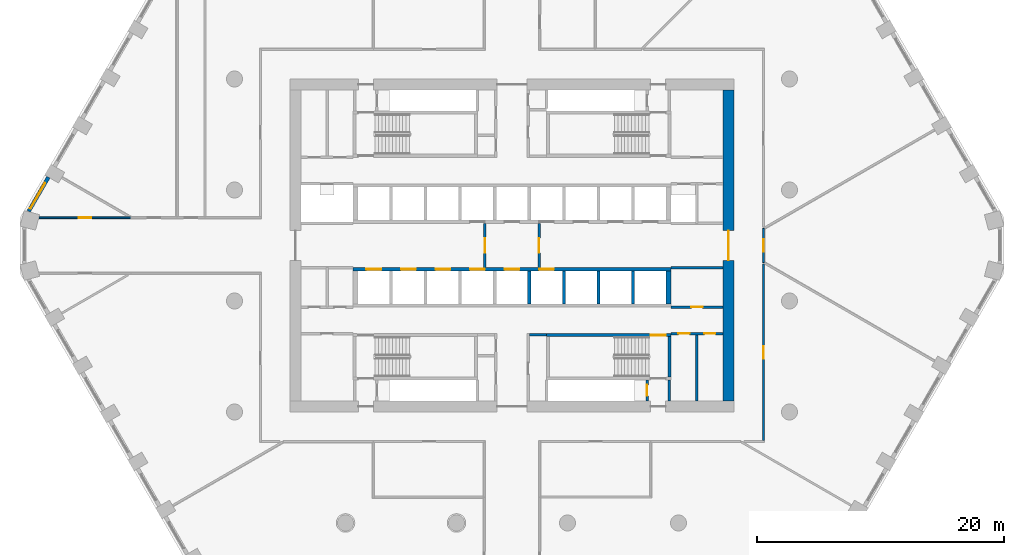
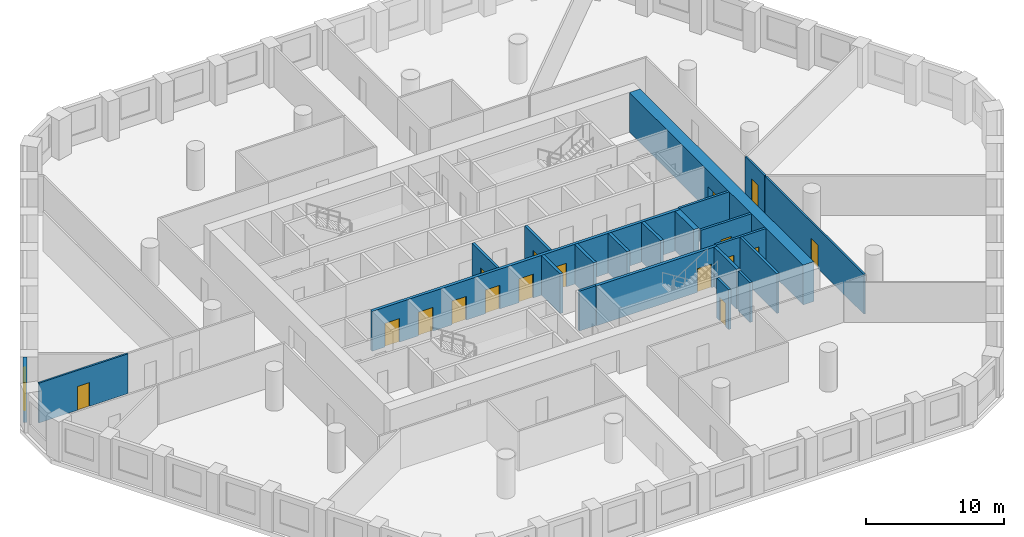
# One storey, part 4 of 14: 22 walls, 17 doors, 1 window, 18 openings.
"""IFC4 building model written with IfcOpenShell, lengths in metres."""

import ifcopenshell
import ifcopenshell.guid

model = None  # the IFC model being written
_history = None  # IfcOwnerHistory: only IFC2X3 demands one
_inside = {}  # id of a spatial element -> (the spatial element, [elements in it])
_under = {}  # id of a project, library or spatial element -> (it, [spatial elements below it])
_declared = {}  # id of a project -> (the project, [libraries it declares])
_typed = {}  # id of a type object -> (the type object, [elements of that type])
_made_of = {}  # id of a material, layer set ... -> (it, [elements and type objects made of it])


def new_model(schema):
    """Start an empty IFC model of exactly this schema.

    Asked for "IFC4X3", IfcOpenShell would pick the latest addendum, in which some entities
    have other attributes; the version numbers below select the first issue.
    IFC2X3 requires an IfcOwnerHistory on every rooted entity: one is made here for all.
    """
    global model, _history
    if schema == "IFC4X3":
        model = ifcopenshell.file(schema_version=(4, 3, 0, 0))
    else:
        model = ifcopenshell.file(schema=schema)
    _inside.clear()
    _under.clear()
    _declared.clear()
    _typed.clear()
    _made_of.clear()
    _history = None
    if model.schema == "IFC2X3":
        org = make("IfcOrganization", Name="unknown")
        user = make(
            "IfcPersonAndOrganization",
            ThePerson=make("IfcPerson", FamilyName="unknown"),
            TheOrganization=org,
        )
        app = make(
            "IfcApplication",
            ApplicationDeveloper=org,
            Version="unknown",
            ApplicationFullName="unknown",
            ApplicationIdentifier="unknown",
        )
        _history = make(
            "IfcOwnerHistory",
            OwningUser=user,
            OwningApplication=app,
            ChangeAction="ADDED",
            CreationDate=0,
        )
    return model


def make(cls, **values):
    """One entity of the class cls with the attributes given. An attribute that is None is left unset."""
    return model.create_entity(
        cls, **{name: value for name, value in values.items() if value is not None}
    )


def rooted(cls, **values):
    """An entity with a GlobalId (a new one), such as an element, a storey or a relation."""
    return make(cls, GlobalId=ifcopenshell.guid.new(), OwnerHistory=_history, **values)


def si_unit(unit_type, name, prefix=None):
    """IfcSIUnit, for example si_unit("LENGTHUNIT", "METRE", prefix="MILLI")."""
    return make("IfcSIUnit", UnitType=unit_type, Prefix=prefix, Name=name)


def assignment(units):
    """IfcUnitAssignment: the units of a project."""
    return None if units is None else make("IfcUnitAssignment", Units=units)


def point(xyz):
    """IfcCartesianPoint."""
    return None if xyz is None else make("IfcCartesianPoint", Coordinates=xyz)


def direction(xyz):
    """IfcDirection."""
    return None if xyz is None else make("IfcDirection", DirectionRatios=xyz)


def frame(location, z_axis=None, x_axis=None):
    """IfcAxis2Placement3D, a coordinate frame: its origin and axes. An axis left out is left unset."""
    return make(
        "IfcAxis2Placement3D",
        Location=point(location),
        Axis=direction(z_axis),
        RefDirection=direction(x_axis),
    )


def frame_2d(location, x_axis=None):
    """IfcAxis2Placement2D, a coordinate frame in the plane: its origin and x axis."""
    return make(
        "IfcAxis2Placement2D", Location=point(location), RefDirection=direction(x_axis)
    )


def origin():
    """The frame at (0, 0, 0) with its axes left unset."""
    return frame((0.0, 0.0, 0.0))


def place(relative_to, where):
    """IfcLocalPlacement: puts the frame where relative to a parent placement (None: the world)."""
    return make(
        "IfcLocalPlacement", PlacementRelTo=relative_to, RelativePlacement=where
    )


def context(
    kind, dimensions, precision=None, world=None, true_north=None, identifier=None
):
    """IfcGeometricRepresentationContext, for example the 3D "Model" context."""
    return make(
        "IfcGeometricRepresentationContext",
        ContextIdentifier=identifier,
        ContextType=kind,
        CoordinateSpaceDimension=dimensions,
        Precision=precision,
        WorldCoordinateSystem=world,
        TrueNorth=true_north,
    )


def subcontext(parent, identifier, kind, view, scale=None):
    """IfcGeometricRepresentationSubContext, for example "Body" below "Model"."""
    return make(
        "IfcGeometricRepresentationSubContext",
        ContextIdentifier=identifier,
        ContextType=kind,
        ParentContext=parent,
        TargetScale=scale,
        TargetView=view,
    )


def project(units=None, contexts=None):
    """IfcProject with its units and contexts."""
    return rooted(
        "IfcProject",
        Name="project",
        RepresentationContexts=contexts,
        UnitsInContext=assignment(units),
    )


def spatial(cls, under=None, at=None, **own):
    """A site, building, storey or space (cls), placed at a placement, below another one or the project."""
    s = rooted(cls, ObjectPlacement=at, **own)
    if under is not None:
        _under.setdefault(under.id(), (under, []))[1].append(s)
    return s


def polyline(points):
    """IfcPolyline through the points."""
    return make("IfcPolyline", Points=[point(p) for p in points])


def profile(cls, at=None, kind="AREA", **sizes):
    """A parametric profile (cls). Its sizes go by their IFC names, for example OverallWidth=200.0."""
    return make(cls, ProfileType=kind, Position=at, **sizes)


def rectangle(**sizes):
    """IfcRectangleProfileDef."""
    return profile("IfcRectangleProfileDef", **sizes)


def outline(outer, holes=None, kind="AREA"):
    """IfcArbitraryClosedProfileDef: a profile drawn as a closed curve; with holes, ...WithVoids."""
    if holes is None:
        return make("IfcArbitraryClosedProfileDef", ProfileType=kind, OuterCurve=outer)
    return make(
        "IfcArbitraryProfileDefWithVoids",
        ProfileType=kind,
        OuterCurve=outer,
        InnerCurves=holes,
    )


def extrude(swept, where, along, depth):
    """IfcExtrudedAreaSolid: the profile swept, set in the frame where, extruded along a direction by depth."""
    return make(
        "IfcExtrudedAreaSolid",
        SweptArea=swept,
        Position=where,
        ExtrudedDirection=direction(along),
        Depth=depth,
    )


def shape(context_of_items, identifier, shape_type, items):
    """IfcShapeRepresentation: the items that make up one representation, for example the "Body"."""
    return make(
        "IfcShapeRepresentation",
        ContextOfItems=context_of_items,
        RepresentationIdentifier=identifier,
        RepresentationType=shape_type,
        Items=items,
    )


def material(Name=None, Category=None):
    """IfcMaterial."""
    return make("IfcMaterial", Name=Name, Category=Category)


def layer(
    of_material, thickness, ventilated=None, Name=None, Category=None, Priority=None
):
    """IfcMaterialLayer: one layer of a wall or slab, of a material (None: an air gap)."""
    return make(
        "IfcMaterialLayer",
        Material=of_material,
        LayerThickness=thickness,
        IsVentilated=ventilated,
        Name=Name,
        Category=Category,
        Priority=Priority,
    )


def layer_set(layers, Name=None):
    """IfcMaterialLayerSet."""
    return make("IfcMaterialLayerSet", MaterialLayers=layers, LayerSetName=Name)


def made_of(thing, what):
    """Note that an element or type object is made of a material, layer set ...; save() writes the relation."""
    if what is not None:
        _made_of.setdefault(what.id(), (what, []))[1].append(thing)
    return thing


def type_object(cls, material=None, **own):
    """A type object (cls), such as IfcWallType, which elements share."""
    return made_of(rooted(cls, **own), material)


def element(
    cls,
    number,
    at=None,
    inside=None,
    cuts=None,
    type_object=None,
    material=None,
    context=None,
    identifier="Body",
    shape_type=None,
    held_by="IfcProductDefinitionShape",
    body=None,
    shapes=None,
    **own,
):
    """One element of the class cls, such as IfcWall. Its Tag is "e" and its number.

    at: its placement. inside: the storey or other place that contains it. cuts: it is an
    opening in that element (IfcRelVoidsElement). A single representation is given by context,
    identifier, shape_type and body (its items); several are given by shapes. held_by: the class
    of the entity that holds the representations. save() writes the other relations.
    """
    e = rooted(cls, Tag="e%d" % number, ObjectPlacement=at, **own)
    if body is not None:
        shapes = [shape(context, identifier, shape_type, body)]
    if shapes is not None:
        e.Representation = make(held_by, Representations=shapes)
    if inside is not None:
        _inside.setdefault(inside.id(), (inside, []))[1].append(e)
    if cuts is not None:
        rooted(
            "IfcRelVoidsElement", RelatingBuildingElement=cuts, RelatedOpeningElement=e
        )
    if type_object is not None:
        _typed.setdefault(type_object.id(), (type_object, []))[1].append(e)
    return made_of(e, material)


def fill(opening, filler):
    """IfcRelFillsElement: the door or window that sits in an opening."""
    return rooted(
        "IfcRelFillsElement",
        RelatingOpeningElement=opening,
        RelatedBuildingElement=filler,
    )


def aggregate(whole, parts):
    """IfcRelAggregates: a whole, such as a stair, and the parts it consists of."""
    return rooted("IfcRelAggregates", RelatingObject=whole, RelatedObjects=parts)


def save(model, path):
    """Write the relations noted so far, then the file.

    IfcRelAggregates (storeys below a building ...), IfcRelContainedInSpatialStructure (elements
    in a storey), IfcRelDefinesByType, IfcRelAssociatesMaterial and IfcRelDeclares: one each for
    every whole, place, type object, material and project.
    """
    for whole, parts in _under.values():
        aggregate(whole, parts)
    for where, things in _inside.values():
        rooted(
            "IfcRelContainedInSpatialStructure",
            RelatedElements=things,
            RelatingStructure=where,
        )
    for kind, things in _typed.values():
        rooted("IfcRelDefinesByType", RelatedObjects=things, RelatingType=kind)
    for what, things in _made_of.values():
        rooted("IfcRelAssociatesMaterial", RelatedObjects=things, RelatingMaterial=what)
    for by, libraries in _declared.values():
        rooted("IfcRelDeclares", RelatingContext=by, RelatedDefinitions=libraries)
    model.write(path)


model = new_model("IFC4")

# Units and contexts
model_context = context("Model", 3, precision=1e-05, world=origin(), true_north=direction((0.0, 1.0)))
body_context = subcontext(model_context, "Body", "Model", "MODEL_VIEW")
ifc_project = project(units=[si_unit("LENGTHUNIT", "METRE"), si_unit("AREAUNIT", "SQUARE_METRE"), si_unit("VOLUMEUNIT", "CUBIC_METRE"), si_unit("PLANEANGLEUNIT", "RADIAN"), si_unit("MASSUNIT", "GRAM", prefix="KILO")], contexts=[model_context])

# Site, building, storey
site_placement = place(None, origin())
site = spatial("IfcSite", under=ifc_project, at=site_placement, CompositionType="ELEMENT")
building_placement = place(site_placement, origin())
building = spatial("IfcBuilding", under=site, at=building_placement, Name="Dhurran Vertical Campus", CompositionType="ELEMENT")
storey_placement = place(building_placement, frame((0.0, 0.0, 100.800048828125)))
storey = spatial("IfcBuildingStorey", under=building, at=storey_placement, Name="L24", CompositionType="ELEMENT", Elevation=100.800048828125)

# Wall, opening, window
ifc_material_1 = material(Name="Precast concrete C50/60", Category="concrete")
ifc_layer_1 = layer(ifc_material_1, 0.300048828125)
ifc_layer_set_1 = layer_set([ifc_layer_1], Name="Precast concrete C50/60")
wall_type_1 = type_object("IfcWallType", Name="Precast spandrel wall 300", PredefinedType="SOLIDWALL", material=ifc_layer_set_1)
wall_1_placement = place(storey_placement, frame((-37.59423828125, 5.538818359375, 0.0), z_axis=(0.0, 0.0, 1.0), x_axis=(-0.500004907028, -0.866022570692, 0.0)))
wall_1 = element("IfcWall", 1, at=wall_1_placement, inside=storey, type_object=wall_type_1, Name="EW1 L24.42", PredefinedType="SOLIDWALL", context=body_context, shape_type="SweptSolid", body=[
    extrude(rectangle(XDim=3.1923828125, YDim=0.300048828125, at=frame_2d((1.59619140625, 0.0))), origin(), (0.0, 0.0, 1.0), 3.52490234375),
])
opening_1_placement = place(wall_1_placement, frame((0.549560546875, 0.0, 0.89990234375)))
opening_1 = element("IfcOpeningElement", 2, at=opening_1_placement, cuts=wall_1, Name="Opening WT1", PredefinedType="OPENING", context=body_context, shape_type="SweptSolid", body=[
    extrude(rectangle(XDim=2.39990234375, YDim=2.10009765625, at=frame_2d((1.199951171875, 1.050048828125))), frame((0.0, 0.159912109375, 0.0), z_axis=(0.0, -1.0, 0.0), x_axis=(1.0, 0.0, 0.0)), (0.0, 0.0, 1.0), 0.320068359375),
])
ifc_material_2 = material(Name="Aluminium frame with solar-control glass", Category="aluminium")
window_type = type_object("IfcWindowType", Name="Punched window 2400 x 2100", PartitioningType="SINGLE_PANEL", PredefinedType="WINDOW", material=ifc_material_2)
window_placement = place(opening_1_placement, origin())
window = element("IfcWindow", 3, at=window_placement, inside=storey, type_object=window_type, Name="WT1 L24.42", OverallHeight=2.10009765625, OverallWidth=2.39990234375, PartitioningType="SINGLE_PANEL", PredefinedType="WINDOW", context=body_context, shape_type="SweptSolid", body=[
    extrude(rectangle(XDim=2.39990234375, YDim=2.10009765625, at=frame_2d((1.199951171875, 1.050048828125))), frame((0.0, 0.030029296875, 0.0), z_axis=(0.0, -1.0, 0.0), x_axis=(1.0, 0.0, 0.0)), (0.0, 0.0, 1.0), 0.06005859375),
])
fill(opening_1, window)

# Wall, opening, door
ifc_material_3 = material(Name="Concrete C60/75", Category="concrete")
ifc_layer_2 = layer(ifc_material_3, 0.89990234375)
ifc_layer_set_2 = layer_set([ifc_layer_2], Name="Concrete C60/75")
wall_type_2 = type_object("IfcWallType", Name="co-CORE-WALL-C0-900", PredefinedType="SHEAR", material=ifc_layer_set_2)
wall_2_placement = place(storey_placement, frame((17.550048828125, -12.60009765625, 0.0), z_axis=(0.0, 0.0, 1.0), x_axis=(0.0, 1.0, 0.0)))
wall_2 = element("IfcWall", 4, at=wall_2_placement, inside=storey, type_object=wall_type_2, Name="Core wall E L24", PredefinedType="SHEAR", context=body_context, shape_type="SweptSolid", body=[
    extrude(rectangle(XDim=25.2001953125, YDim=0.89990234375, at=frame_2d((12.60009765625, 0.0))), origin(), (0.0, 0.0, 1.0), 3.52490234375),
])
opening_2_placement = place(wall_2_placement, frame((11.39990234375, 0.0, 0.0)))
opening_2 = element("IfcOpeningElement", 5, at=opening_2_placement, cuts=wall_2, Name="Opening CL2", PredefinedType="OPENING", context=body_context, shape_type="SweptSolid", body=[
    extrude(rectangle(XDim=2.39990234375, YDim=2.10009765625, at=frame_2d((1.199951171875, 1.050048828125))), frame((0.0, 0.4599609375, 0.0), z_axis=(0.0, -1.0, 0.0), x_axis=(1.0, 0.0, 0.0)), (0.0, 0.0, 1.0), 0.919921875),
])
ifc_material_4 = material(Name="Fire-rated glazed door set")
door_type_1 = type_object("IfcDoorType", Name="co-D-LOBBY 2400x2100", OperationType="DOUBLE_DOOR_DOUBLE_SWING", PredefinedType="DOOR", material=ifc_material_4)
door_1_placement = place(opening_2_placement, origin())
door_1 = element("IfcDoor", 6, at=door_1_placement, inside=storey, type_object=door_type_1, Name="Lift lobby door E L24", OperationType="DOUBLE_DOOR_DOUBLE_SWING", OverallHeight=2.10009765625, OverallWidth=2.39990234375, PredefinedType="DOOR", context=body_context, shape_type="SweptSolid", body=[
    extrude(rectangle(XDim=2.39990234375, YDim=2.10009765625, at=frame_2d((1.199951171875, 1.050048828125))), frame((0.0, 0.02490234375, 0.0), z_axis=(0.0, -1.0, 0.0), x_axis=(1.0, 0.0, 0.0)), (0.0, 0.0, 1.0), 0.050048828125),
])
fill(opening_2, door_1)

ifc_material_5 = material(Name="Fire-rated masonry blockwork", Category="masonry")
ifc_layer_3 = layer(ifc_material_5, 0.199951171875)
ifc_layer_set_3 = layer_set([ifc_layer_3], Name="Fire-rated masonry blockwork")
wall_type_3 = type_object("IfcWallType", Name="co-FIRE-PARTITION-200", PredefinedType="PARTITIONING", material=ifc_layer_set_3)
wall_3_placement = place(storey_placement, frame((-2.199951171875, -1.800048828125, 0.0), z_axis=(0.0, 0.0, 1.0), x_axis=(0.0, 1.0, 0.0)))
wall_3 = element("IfcWall", 7, at=wall_3_placement, inside=storey, type_object=wall_type_3, Name="Firefighting lobby wall W L24", PredefinedType="PARTITIONING", context=body_context, shape_type="SweptSolid", body=[
    extrude(rectangle(XDim=3.60009765625, YDim=0.199951171875, at=frame_2d((1.800048828125, 0.0))), origin(), (0.0, 0.0, 1.0), 3.52490234375),
])
opening_3_placement = place(wall_3_placement, frame((1.199951171875, 0.0, 0.0)))
opening_3 = element("IfcOpeningElement", 8, at=opening_3_placement, cuts=wall_3, Name="Opening FL1", PredefinedType="OPENING", context=body_context, shape_type="SweptSolid", body=[
    extrude(rectangle(XDim=1.199951171875, YDim=2.10009765625, at=frame_2d((0.60009765625, 1.050048828125))), frame((0.0, 0.10986328125, 0.0), z_axis=(0.0, -1.0, 0.0), x_axis=(1.0, 0.0, 0.0)), (0.0, 0.0, 1.0), 0.219970703125),
])
ifc_material_6 = material(Name="Fire-rated steel door set", Category="steel")
door_type_2 = type_object("IfcDoorType", Name="co-D-FFLOBBY 1200x2100", OperationType="SINGLE_SWING_LEFT", PredefinedType="DOOR", material=ifc_material_6)
door_2_placement = place(opening_3_placement, origin())
door_2 = element("IfcDoor", 9, at=door_2_placement, inside=storey, type_object=door_type_2, Name="Firefighting lobby door W L24", OperationType="SINGLE_SWING_LEFT", OverallHeight=2.10009765625, OverallWidth=1.199951171875, PredefinedType="DOOR", context=body_context, shape_type="SweptSolid", body=[
    extrude(rectangle(XDim=1.199951171875, YDim=2.10009765625, at=frame_2d((0.60009765625, 1.050048828125))), frame((0.0, 0.02490234375, 0.0), z_axis=(0.0, -1.0, 0.0), x_axis=(1.0, 0.0, 0.0)), (0.0, 0.0, 1.0), 0.050048828125),
])
fill(opening_3, door_2)

wall_4_placement = place(storey_placement, frame((2.199951171875, -1.800048828125, 0.0), z_axis=(0.0, 0.0, 1.0), x_axis=(0.0, 1.0, 0.0)))
wall_4 = element("IfcWall", 10, at=wall_4_placement, inside=storey, type_object=wall_type_3, Name="Firefighting lobby wall E L24", PredefinedType="PARTITIONING", context=body_context, shape_type="SweptSolid", body=[
    extrude(rectangle(XDim=3.60009765625, YDim=0.199951171875, at=frame_2d((1.800048828125, 0.0))), origin(), (0.0, 0.0, 1.0), 3.52490234375),
])
opening_4_placement = place(wall_4_placement, frame((1.199951171875, 0.0, 0.0)))
opening_4 = element("IfcOpeningElement", 11, at=opening_4_placement, cuts=wall_4, Name="Opening FL2", PredefinedType="OPENING", context=body_context, shape_type="SweptSolid", body=[
    extrude(rectangle(XDim=1.199951171875, YDim=2.10009765625, at=frame_2d((0.60009765625, 1.050048828125))), frame((0.0, 0.10986328125, 0.0), z_axis=(0.0, -1.0, 0.0), x_axis=(1.0, 0.0, 0.0)), (0.0, 0.0, 1.0), 0.219970703125),
])
door_3_placement = place(opening_4_placement, origin())
door_3 = element("IfcDoor", 12, at=door_3_placement, inside=storey, type_object=door_type_2, Name="Firefighting lobby door E L24", OperationType="SINGLE_SWING_LEFT", OverallHeight=2.10009765625, OverallWidth=1.199951171875, PredefinedType="DOOR", context=body_context, shape_type="SweptSolid", body=[
    extrude(rectangle(XDim=1.199951171875, YDim=2.10009765625, at=frame_2d((0.60009765625, 1.050048828125))), frame((0.0, 0.02490234375, 0.0), z_axis=(0.0, -1.0, 0.0), x_axis=(1.0, 0.0, 0.0)), (0.0, 0.0, 1.0), 0.050048828125),
])
fill(opening_4, door_3)

# Walls
wall_5_placement = place(storey_placement, frame((1.39990234375, -7.25, 0.0), z_axis=(0.0, 0.0, 1.0), x_axis=(1.0, 0.0, 0.0)))
element("IfcWall", 13, at=wall_5_placement, inside=storey, type_object=wall_type_3, Name="Core partition sl-SE-S L24", PredefinedType="PARTITIONING", context=body_context, shape_type="SweptSolid", body=[
    extrude(rectangle(XDim=1.400146484375, YDim=0.199951171875, at=frame_2d((0.7001953125, 0.0))), origin(), (0.0, 0.0, 1.0), 3.52490234375),
])
wall_6_placement = place(storey_placement, frame((12.75, -12.60009765625, 0.0), z_axis=(0.0, 0.0, 1.0), x_axis=(0.0, 1.0, 0.0)))
element("IfcWall", 14, at=wall_6_placement, inside=storey, type_object=wall_type_3, Name="Core partition pass-ST4-o L24", PredefinedType="PARTITIONING", context=body_context, shape_type="SweptSolid", body=[
    extrude(rectangle(XDim=1.7001953125, YDim=0.199951171875, at=frame_2d((0.85009765625, 0.0))), origin(), (0.0, 0.0, 1.0), 3.52490234375),
])

# Wall, opening, door
wall_7_placement = place(storey_placement, frame((10.949951171875, -12.60009765625, 0.0), z_axis=(0.0, 0.0, 1.0), x_axis=(0.0, 1.0, 0.0)))
wall_7 = element("IfcWall", 15, at=wall_7_placement, inside=storey, type_object=wall_type_3, Name="Core partition pass-ST4-i L24", PredefinedType="PARTITIONING", context=body_context, shape_type="SweptSolid", body=[
    extrude(rectangle(XDim=1.7001953125, YDim=0.199951171875, at=frame_2d((0.85009765625, 0.0))), origin(), (0.0, 0.0, 1.0), 3.52490234375),
])
opening_5_placement = place(wall_7_placement, frame((0.39990234375, 0.0, 0.0)))
opening_5 = element("IfcOpeningElement", 16, at=opening_5_placement, cuts=wall_7, Name="Opening T06-C11", PredefinedType="OPENING", context=body_context, shape_type="SweptSolid", body=[
    extrude(rectangle(XDim=0.89990234375, YDim=2.10009765625, at=frame_2d((0.449951171875, 1.050048828125))), frame((0.0, 0.10986328125, 0.0), z_axis=(0.0, -1.0, 0.0), x_axis=(1.0, 0.0, 0.0)), (0.0, 0.0, 1.0), 0.219970703125),
])
ifc_material_7 = material(Name="Fire-rated timber door set", Category="wood")
door_type_3 = type_object("IfcDoorType", Name="co-D-ROOM 900x2100", OperationType="SINGLE_SWING_LEFT", PredefinedType="DOOR", material=ifc_material_7)
door_4_placement = place(opening_5_placement, origin())
door_4 = element("IfcDoor", 17, at=door_4_placement, inside=storey, type_object=door_type_3, Name="Riser room door L24", OperationType="SINGLE_SWING_LEFT", OverallHeight=2.10009765625, OverallWidth=0.89990234375, PredefinedType="DOOR", context=body_context, shape_type="SweptSolid", body=[
    extrude(rectangle(XDim=0.89990234375, YDim=2.10009765625, at=frame_2d((0.449951171875, 1.050048828125))), frame((0.0, 0.02490234375, 0.0), z_axis=(0.0, -1.0, 0.0), x_axis=(1.0, 0.0, 0.0)), (0.0, 0.0, 1.0), 0.050048828125),
])
fill(opening_5, door_4)

# Wall
wall_8_placement = place(storey_placement, frame((15.0, -12.60009765625, 0.0), z_axis=(0.0, 0.0, 1.0), x_axis=(0.0, 1.0, 0.0)))
element("IfcWall", 18, at=wall_8_placement, inside=storey, type_object=wall_type_3, Name="Core partition en-SE-cut0 L24", PredefinedType="PARTITIONING", context=body_context, shape_type="SweptSolid", body=[
    extrude(rectangle(XDim=5.4501953125, YDim=0.199951171875, at=frame_2d((2.72509765625, 0.0))), origin(), (0.0, 0.0, 1.0), 3.52490234375),
])

# Wall, openings, doors
wall_9_placement = place(storey_placement, frame((12.89990234375, -7.14990234375, 0.0), z_axis=(0.0, 0.0, 1.0), x_axis=(1.0, 0.0, 0.0)))
wall_9 = element("IfcWall", 19, at=wall_9_placement, inside=storey, type_object=wall_type_3, Name="Core partition en-SE-w L24", PredefinedType="PARTITIONING", context=body_context, shape_type="SweptSolid", body=[
    extrude(rectangle(XDim=4.2001953125, YDim=0.199951171875, at=frame_2d((2.10009765625, 0.0))), origin(), (0.0, 0.0, 1.0), 3.52490234375),
])
opening_6_placement = place(wall_9_placement, frame((0.60009765625, 0.0, 0.0)))
opening_6 = element("IfcOpeningElement", 20, at=opening_6_placement, cuts=wall_9, Name="Opening T06-C21", PredefinedType="OPENING", context=body_context, shape_type="SweptSolid", body=[
    extrude(rectangle(XDim=0.89990234375, YDim=2.10009765625, at=frame_2d((0.449951171875, 1.050048828125))), frame((0.0, 0.10986328125, 0.0), z_axis=(0.0, -1.0, 0.0), x_axis=(1.0, 0.0, 0.0)), (0.0, 0.0, 1.0), 0.219970703125),
])
opening_7_placement = place(wall_9_placement, frame((2.699951171875, 0.0, 0.0)))
opening_7 = element("IfcOpeningElement", 21, at=opening_7_placement, cuts=wall_9, Name="Opening T06-C22", PredefinedType="OPENING", context=body_context, shape_type="SweptSolid", body=[
    extrude(rectangle(XDim=0.89990234375, YDim=2.10009765625, at=frame_2d((0.449951171875, 1.050048828125))), frame((0.0, 0.10986328125, 0.0), z_axis=(0.0, -1.0, 0.0), x_axis=(1.0, 0.0, 0.0)), (0.0, 0.0, 1.0), 0.219970703125),
])
door_5_placement = place(opening_6_placement, origin())
door_5 = element("IfcDoor", 22, at=door_5_placement, inside=storey, type_object=door_type_3, Name="Cleaner's store door L24", OperationType="SINGLE_SWING_LEFT", OverallHeight=2.10009765625, OverallWidth=0.89990234375, PredefinedType="DOOR", context=body_context, shape_type="SweptSolid", body=[
    extrude(rectangle(XDim=0.89990234375, YDim=2.10009765625, at=frame_2d((0.449951171875, 1.050048828125))), frame((0.0, 0.02490234375, 0.0), z_axis=(0.0, -1.0, 0.0), x_axis=(1.0, 0.0, 0.0)), (0.0, 0.0, 1.0), 0.050048828125),
])
fill(opening_6, door_5)
door_6_placement = place(opening_7_placement, origin())
door_6 = element("IfcDoor", 23, at=door_6_placement, inside=storey, type_object=door_type_3, Name="Cleaner's store door L24", OperationType="SINGLE_SWING_LEFT", OverallHeight=2.10009765625, OverallWidth=0.89990234375, PredefinedType="DOOR", context=body_context, shape_type="SweptSolid", body=[
    extrude(rectangle(XDim=0.89990234375, YDim=2.10009765625, at=frame_2d((0.449951171875, 1.050048828125))), frame((0.0, 0.02490234375, 0.0), z_axis=(0.0, -1.0, 0.0), x_axis=(1.0, 0.0, 0.0)), (0.0, 0.0, 1.0), 0.050048828125),
])
fill(opening_7, door_6)

# Wall, opening, door
wall_10_placement = place(storey_placement, frame((12.89990234375, -5.0, 0.0), z_axis=(0.0, 0.0, 1.0), x_axis=(1.0, 0.0, 0.0)))
wall_10 = element("IfcWall", 24, at=wall_10_placement, inside=storey, type_object=wall_type_3, Name="Core partition es-SE-w L24", PredefinedType="PARTITIONING", context=body_context, shape_type="SweptSolid", body=[
    extrude(rectangle(XDim=4.2001953125, YDim=0.199951171875, at=frame_2d((2.10009765625, 0.0))), origin(), (0.0, 0.0, 1.0), 3.52490234375),
])
opening_8_placement = place(wall_10_placement, frame((1.64990234375, 0.0, 0.0)))
opening_8 = element("IfcOpeningElement", 25, at=opening_8_placement, cuts=wall_10, Name="Opening T06-C23", PredefinedType="OPENING", context=body_context, shape_type="SweptSolid", body=[
    extrude(rectangle(XDim=0.89990234375, YDim=2.10009765625, at=frame_2d((0.449951171875, 1.050048828125))), frame((0.0, 0.10986328125, 0.0), z_axis=(0.0, -1.0, 0.0), x_axis=(1.0, 0.0, 0.0)), (0.0, 0.0, 1.0), 0.219970703125),
])
door_7_placement = place(opening_8_placement, origin())
door_7 = element("IfcDoor", 26, at=door_7_placement, inside=storey, type_object=door_type_3, Name="Plant room door L24", OperationType="SINGLE_SWING_LEFT", OverallHeight=2.10009765625, OverallWidth=0.89990234375, PredefinedType="DOOR", context=body_context, shape_type="SweptSolid", body=[
    extrude(rectangle(XDim=0.89990234375, YDim=2.10009765625, at=frame_2d((0.449951171875, 1.050048828125))), frame((0.0, 0.02490234375, 0.0), z_axis=(0.0, -1.0, 0.0), x_axis=(1.0, 0.0, 0.0)), (0.0, 0.0, 1.0), 0.050048828125),
])
fill(opening_8, door_7)

# Wall
wall_11_placement = place(storey_placement, frame((12.89990234375, -1.800048828125, 0.0), z_axis=(0.0, 0.0, 1.0), x_axis=(1.0, 0.0, 0.0)))
element("IfcWall", 27, at=wall_11_placement, inside=storey, type_object=wall_type_3, Name="Core partition es-SE-l L24", PredefinedType="PARTITIONING", context=body_context, shape_type="SweptSolid", body=[
    extrude(rectangle(XDim=4.2001953125, YDim=0.199951171875, at=frame_2d((2.10009765625, 0.0))), origin(), (0.0, 0.0, 1.0), 3.52490234375),
])

# Wall, openings, doors
ifc_material_8 = material(Name="Concrete C50/60", Category="concrete")
ifc_layer_4 = layer(ifc_material_8, 0.25)
ifc_layer_set_4 = layer_set([ifc_layer_4], Name="Concrete C50/60")
wall_type_4 = type_object("IfcWallType", Name="co-SHAFT-FRONT-250", PredefinedType="SHEAR", material=ifc_layer_set_4)
wall_12_placement = place(storey_placement, frame((-12.89990234375, -1.925048828125, 0.0), z_axis=(0.0, 0.0, 1.0), x_axis=(1.0, 0.0, 0.0)))
wall_12 = element("IfcWall", 28, at=wall_12_placement, inside=storey, type_object=wall_type_4, Name="Lift landing wall S L24", PredefinedType="SHEAR", context=body_context, shape_type="SweptSolid", body=[
    extrude(rectangle(XDim=25.7998046875, YDim=0.25, at=frame_2d((12.89990234375, 0.0))), origin(), (0.0, 0.0, 1.0), 3.52490234375),
])
opening_9_placement = place(wall_12_placement, frame((1.10009765625, 0.0, 0.0)))
opening_9 = element("IfcOpeningElement", 29, at=opening_9_placement, cuts=wall_12, Name="Opening LD", PredefinedType="OPENING", context=body_context, shape_type="SweptSolid", body=[
    extrude(rectangle(XDim=1.199951171875, YDim=2.10009765625, at=frame_2d((0.60009765625, 1.050048828125))), frame((0.0, 0.135009765625, 0.0), z_axis=(0.0, -1.0, 0.0), x_axis=(1.0, 0.0, 0.0)), (0.0, 0.0, 1.0), 0.27001953125),
])
opening_10_placement = place(wall_12_placement, frame((3.89990234375, 0.0, 0.0)))
opening_10 = element("IfcOpeningElement", 30, at=opening_10_placement, cuts=wall_12, Name="Opening LD", PredefinedType="OPENING", context=body_context, shape_type="SweptSolid", body=[
    extrude(rectangle(XDim=1.199951171875, YDim=2.10009765625, at=frame_2d((0.60009765625, 1.050048828125))), frame((0.0, 0.135009765625, 0.0), z_axis=(0.0, -1.0, 0.0), x_axis=(1.0, 0.0, 0.0)), (0.0, 0.0, 1.0), 0.27001953125),
])
opening_11_placement = place(wall_12_placement, frame((6.699951171875, 0.0, 0.0)))
opening_11 = element("IfcOpeningElement", 31, at=opening_11_placement, cuts=wall_12, Name="Opening LD", PredefinedType="OPENING", context=body_context, shape_type="SweptSolid", body=[
    extrude(rectangle(XDim=1.199951171875, YDim=2.10009765625, at=frame_2d((0.60009765625, 1.050048828125))), frame((0.0, 0.135009765625, 0.0), z_axis=(0.0, -1.0, 0.0), x_axis=(1.0, 0.0, 0.0)), (0.0, 0.0, 1.0), 0.27001953125),
])
opening_12_placement = place(wall_12_placement, frame((9.5, 0.0, 0.0)))
opening_12 = element("IfcOpeningElement", 32, at=opening_12_placement, cuts=wall_12, Name="Opening LD", PredefinedType="OPENING", context=body_context, shape_type="SweptSolid", body=[
    extrude(rectangle(XDim=1.199951171875, YDim=2.10009765625, at=frame_2d((0.60009765625, 1.050048828125))), frame((0.0, 0.135009765625, 0.0), z_axis=(0.0, -1.0, 0.0), x_axis=(1.0, 0.0, 0.0)), (0.0, 0.0, 1.0), 0.27001953125),
])
opening_13_placement = place(wall_12_placement, frame((12.300048828125, 0.0, 0.0)))
opening_13 = element("IfcOpeningElement", 33, at=opening_13_placement, cuts=wall_12, Name="Opening LD", PredefinedType="OPENING", context=body_context, shape_type="SweptSolid", body=[
    extrude(rectangle(XDim=1.199951171875, YDim=2.10009765625, at=frame_2d((0.60009765625, 1.050048828125))), frame((0.0, 0.135009765625, 0.0), z_axis=(0.0, -1.0, 0.0), x_axis=(1.0, 0.0, 0.0)), (0.0, 0.0, 1.0), 0.27001953125),
])
opening_14_placement = place(wall_12_placement, frame((15.10009765625, 0.0, 0.0)))
opening_14 = element("IfcOpeningElement", 34, at=opening_14_placement, cuts=wall_12, Name="Opening LD", PredefinedType="OPENING", context=body_context, shape_type="SweptSolid", body=[
    extrude(rectangle(XDim=1.199951171875, YDim=2.10009765625, at=frame_2d((0.60009765625, 1.050048828125))), frame((0.0, 0.135009765625, 0.0), z_axis=(0.0, -1.0, 0.0), x_axis=(1.0, 0.0, 0.0)), (0.0, 0.0, 1.0), 0.27001953125),
])
ifc_material_9 = material(Name="Stainless steel landing door", Category="steel")
door_type_4 = type_object("IfcDoorType", Name="co-D-LANDING 1200x2100", OperationType="DOUBLE_DOOR_SLIDING", PredefinedType="DOOR", material=ifc_material_9)
door_8_placement = place(opening_9_placement, origin())
door_8 = element("IfcDoor", 35, at=door_8_placement, inside=storey, type_object=door_type_4, Name="Landing door LR5 L24", OperationType="DOUBLE_DOOR_SLIDING", OverallHeight=2.10009765625, OverallWidth=1.199951171875, PredefinedType="DOOR", context=body_context, shape_type="SweptSolid", body=[
    extrude(rectangle(XDim=1.199951171875, YDim=2.10009765625, at=frame_2d((0.60009765625, 1.050048828125))), frame((0.0, 0.02490234375, 0.0), z_axis=(0.0, -1.0, 0.0), x_axis=(1.0, 0.0, 0.0)), (0.0, 0.0, 1.0), 0.050048828125),
])
fill(opening_9, door_8)
door_9_placement = place(opening_10_placement, origin())
door_9 = element("IfcDoor", 36, at=door_9_placement, inside=storey, type_object=door_type_4, Name="Landing door LR6 L24", OperationType="DOUBLE_DOOR_SLIDING", OverallHeight=2.10009765625, OverallWidth=1.199951171875, PredefinedType="DOOR", context=body_context, shape_type="SweptSolid", body=[
    extrude(rectangle(XDim=1.199951171875, YDim=2.10009765625, at=frame_2d((0.60009765625, 1.050048828125))), frame((0.0, 0.02490234375, 0.0), z_axis=(0.0, -1.0, 0.0), x_axis=(1.0, 0.0, 0.0)), (0.0, 0.0, 1.0), 0.050048828125),
])
fill(opening_10, door_9)
door_10_placement = place(opening_11_placement, origin())
door_10 = element("IfcDoor", 37, at=door_10_placement, inside=storey, type_object=door_type_4, Name="Landing door LR7 L24", OperationType="DOUBLE_DOOR_SLIDING", OverallHeight=2.10009765625, OverallWidth=1.199951171875, PredefinedType="DOOR", context=body_context, shape_type="SweptSolid", body=[
    extrude(rectangle(XDim=1.199951171875, YDim=2.10009765625, at=frame_2d((0.60009765625, 1.050048828125))), frame((0.0, 0.02490234375, 0.0), z_axis=(0.0, -1.0, 0.0), x_axis=(1.0, 0.0, 0.0)), (0.0, 0.0, 1.0), 0.050048828125),
])
fill(opening_11, door_10)
door_11_placement = place(opening_12_placement, origin())
door_11 = element("IfcDoor", 38, at=door_11_placement, inside=storey, type_object=door_type_4, Name="Landing door LR8 L24", OperationType="DOUBLE_DOOR_SLIDING", OverallHeight=2.10009765625, OverallWidth=1.199951171875, PredefinedType="DOOR", context=body_context, shape_type="SweptSolid", body=[
    extrude(rectangle(XDim=1.199951171875, YDim=2.10009765625, at=frame_2d((0.60009765625, 1.050048828125))), frame((0.0, 0.02490234375, 0.0), z_axis=(0.0, -1.0, 0.0), x_axis=(1.0, 0.0, 0.0)), (0.0, 0.0, 1.0), 0.050048828125),
])
fill(opening_12, door_11)
door_12_placement = place(opening_13_placement, origin())
door_12 = element("IfcDoor", 39, at=door_12_placement, inside=storey, type_object=door_type_4, Name="Landing door FF2 L24", OperationType="DOUBLE_DOOR_SLIDING", OverallHeight=2.10009765625, OverallWidth=1.199951171875, PredefinedType="DOOR", context=body_context, shape_type="SweptSolid", body=[
    extrude(rectangle(XDim=1.199951171875, YDim=2.10009765625, at=frame_2d((0.60009765625, 1.050048828125))), frame((0.0, 0.02490234375, 0.0), z_axis=(0.0, -1.0, 0.0), x_axis=(1.0, 0.0, 0.0)), (0.0, 0.0, 1.0), 0.050048828125),
])
fill(opening_13, door_12)
door_13_placement = place(opening_14_placement, origin())
door_13 = element("IfcDoor", 40, at=door_13_placement, inside=storey, type_object=door_type_4, Name="Landing door SV1 L24", OperationType="DOUBLE_DOOR_SLIDING", OverallHeight=2.10009765625, OverallWidth=1.199951171875, PredefinedType="DOOR", context=body_context, shape_type="SweptSolid", body=[
    extrude(rectangle(XDim=1.199951171875, YDim=2.10009765625, at=frame_2d((0.60009765625, 1.050048828125))), frame((0.0, 0.02490234375, 0.0), z_axis=(0.0, -1.0, 0.0), x_axis=(1.0, 0.0, 0.0)), (0.0, 0.0, 1.0), 0.050048828125),
])
fill(opening_14, door_13)

# Walls
ifc_material_10 = material(Name="Concrete C50/60", Category="concrete")
ifc_layer_5 = layer(ifc_material_10, 0.25)
ifc_layer_set_5 = layer_set([ifc_layer_5], Name="Concrete C50/60")
wall_type_5 = type_object("IfcWallType", Name="co-SHAFT-MASS-250", PredefinedType="SHEAR", material=ifc_layer_set_5)
wall_13_placement = place(storey_placement, origin())
element("IfcWall", 41, at=wall_13_placement, inside=storey, type_object=wall_type_5, Name="Lift shaft wall S L24 7", PredefinedType="SHEAR", context=body_context, shape_type="SweptSolid", body=[
    extrude(outline(polyline([(1.27490234375, -4.75), (1.52490234375, -4.75), (1.52490234375, -2.050048828125), (1.27490234375, -2.050048828125), (1.27490234375, -4.75)])), origin(), (0.0, 0.0, 1.0), 3.52490234375),
])
wall_14_placement = place(storey_placement, origin())
element("IfcWall", 42, at=wall_14_placement, inside=storey, type_object=wall_type_5, Name="Lift shaft wall S L24 8", PredefinedType="SHEAR", context=body_context, shape_type="SweptSolid", body=[
    extrude(outline(polyline([(4.074951171875, -4.75), (4.324951171875, -4.75), (4.324951171875, -2.050048828125), (4.074951171875, -2.050048828125), (4.074951171875, -4.75)])), origin(), (0.0, 0.0, 1.0), 3.52490234375),
])
wall_15_placement = place(storey_placement, origin())
element("IfcWall", 43, at=wall_15_placement, inside=storey, type_object=wall_type_5, Name="Lift shaft wall S L24 9", PredefinedType="SHEAR", context=body_context, shape_type="SweptSolid", body=[
    extrude(outline(polyline([(6.875, -4.75), (7.125, -4.75), (7.125, -2.050048828125), (6.875, -2.050048828125), (6.875, -4.75)])), origin(), (0.0, 0.0, 1.0), 3.52490234375),
])
wall_16_placement = place(storey_placement, origin())
element("IfcWall", 44, at=wall_16_placement, inside=storey, type_object=wall_type_5, Name="Lift shaft wall S L24 10", PredefinedType="SHEAR", context=body_context, shape_type="SweptSolid", body=[
    extrude(outline(polyline([(9.675048828125, -4.75), (9.925048828125, -4.75), (9.925048828125, -2.050048828125), (9.675048828125, -2.050048828125), (9.675048828125, -4.75)])), origin(), (0.0, 0.0, 1.0), 3.52490234375),
])
wall_17_placement = place(storey_placement, origin())
element("IfcWall", 45, at=wall_17_placement, inside=storey, type_object=wall_type_5, Name="Lift shaft wall S L24 11", PredefinedType="SHEAR", context=body_context, shape_type="SweptSolid", body=[
    extrude(outline(polyline([(12.47509765625, -4.75), (12.89990234375, -4.75), (12.89990234375, -2.050048828125), (12.47509765625, -2.050048828125), (12.47509765625, -4.75)])), origin(), (0.0, 0.0, 1.0), 3.52490234375),
])

# Wall, opening, door
ifc_material_11 = material(Name="Concrete C40/50", Category="concrete")
ifc_layer_6 = layer(ifc_material_11, 0.25)
ifc_layer_set_6 = layer_set([ifc_layer_6], Name="Concrete C40/50")
wall_type_6 = type_object("IfcWallType", Name="co-STAIR-WALL-250", PredefinedType="SHEAR", material=ifc_layer_set_6)
wall_18_placement = place(storey_placement, frame((2.800048828125, -7.27490234375, 0.0), z_axis=(0.0, 0.0, 1.0), x_axis=(1.0, 0.0, 0.0)))
wall_18 = element("IfcWall", 46, at=wall_18_placement, inside=storey, type_object=wall_type_6, Name="Stair ST4 enclosure wall L24", PredefinedType="SHEAR", context=body_context, shape_type="SweptSolid", body=[
    extrude(rectangle(XDim=10.099853515625, YDim=0.25, at=frame_2d((5.0498046875, 0.0))), origin(), (0.0, 0.0, 1.0), 3.52490234375),
])
opening_15_placement = place(wall_18_placement, frame((8.449951171875, 0.0, 0.0)))
opening_15 = element("IfcOpeningElement", 47, at=opening_15_placement, cuts=wall_18, Name="Opening SD4", PredefinedType="OPENING", context=body_context, shape_type="SweptSolid", body=[
    extrude(rectangle(XDim=1.199951171875, YDim=2.10009765625, at=frame_2d((0.60009765625, 1.050048828125))), frame((0.0, 0.135009765625, 0.0), z_axis=(0.0, -1.0, 0.0), x_axis=(1.0, 0.0, 0.0)), (0.0, 0.0, 1.0), 0.27001953125),
])
ifc_material_12 = material(Name="Fire-rated steel door set", Category="steel")
door_type_5 = type_object("IfcDoorType", Name="co-D-STAIR 1200x2100", OperationType="SINGLE_SWING_LEFT", PredefinedType="DOOR", material=ifc_material_12)
door_14_placement = place(opening_15_placement, origin())
door_14 = element("IfcDoor", 48, at=door_14_placement, inside=storey, type_object=door_type_5, Name="Stair ST4 door L24", OperationType="SINGLE_SWING_LEFT", OverallHeight=2.10009765625, OverallWidth=1.199951171875, PredefinedType="DOOR", context=body_context, shape_type="SweptSolid", body=[
    extrude(rectangle(XDim=1.199951171875, YDim=2.10009765625, at=frame_2d((0.60009765625, 1.050048828125))), frame((0.0, 0.02490234375, 0.0), z_axis=(0.0, -1.0, 0.0), x_axis=(1.0, 0.0, 0.0)), (0.0, 0.0, 1.0), 0.050048828125),
])
fill(opening_15, door_14)

# Wall
wall_19_placement = place(storey_placement, frame((12.77490234375, -10.64990234375, 0.0), z_axis=(0.0, 0.0, 1.0), x_axis=(0.0, 1.0, 0.0)))
element("IfcWall", 49, at=wall_19_placement, inside=storey, type_object=wall_type_6, Name="Stair ST4 enclosure wall L24", PredefinedType="SHEAR", context=body_context, shape_type="SweptSolid", body=[
    extrude(rectangle(XDim=3.25, YDim=0.25, at=frame_2d((1.625, 0.0))), origin(), (0.0, 0.0, 1.0), 3.52490234375),
])

# Wall, opening, door
ifc_material_13 = material(Name="Gypsum board corridor wall on steel studs", Category="steel")
ifc_layer_7 = layer(ifc_material_13, 0.14990234375)
ifc_layer_set_7 = layer_set([ifc_layer_7], Name="Gypsum board corridor wall on steel studs")
wall_type_7 = type_object("IfcWallType", Name="fl-CW-150 corridor wall", PredefinedType="PARTITIONING", material=ifc_layer_set_7)
wall_20_placement = place(storey_placement, frame((-38.35009765625, 2.25, 0.0), z_axis=(0.0, 0.0, 1.0), x_axis=(1.0, 0.0, 0.0)))
wall_20 = element("IfcWall", 50, at=wall_20_placement, inside=storey, type_object=wall_type_7, Name="Partition 24-02", PredefinedType="PARTITIONING", context=body_context, shape_type="SweptSolid", body=[
    extrude(rectangle(XDim=7.453125, YDim=0.14990234375, at=frame_2d((3.7265625, 0.0))), origin(), (0.0, 0.0, 1.0), 3.52490234375),
])
opening_16_placement = place(wall_20_placement, frame((3.2265625, 0.0, 0.0)))
opening_16 = element("IfcOpeningElement", 51, at=opening_16_placement, cuts=wall_20, Name="Opening T06.02", PredefinedType="OPENING", context=body_context, shape_type="SweptSolid", body=[
    extrude(rectangle(XDim=1.0, YDim=2.10009765625, at=frame_2d((0.5, 1.050048828125))), frame((0.0, 0.0849609375, 0.0), z_axis=(0.0, -1.0, 0.0), x_axis=(1.0, 0.0, 0.0)), (0.0, 0.0, 1.0), 0.169921875),
])
ifc_material_14 = material(Name="Solid-core timber door set, fire-rated", Category="wood")
door_type_6 = type_object("IfcDoorType", Name="fl-D-1000x2100", OperationType="SINGLE_SWING_LEFT", PredefinedType="DOOR", material=ifc_material_14)
door_15_placement = place(opening_16_placement, origin())
door_15 = element("IfcDoor", 52, at=door_15_placement, inside=storey, type_object=door_type_6, Name="Door 24.02", OperationType="SINGLE_SWING_LEFT", OverallHeight=2.10009765625, OverallWidth=1.0, PredefinedType="DOOR", context=body_context, shape_type="SweptSolid", body=[
    extrude(rectangle(XDim=1.0, YDim=2.10009765625, at=frame_2d((0.5, 1.050048828125))), frame((0.0, 0.02490234375, 0.0), z_axis=(0.0, -1.0, 0.0), x_axis=(1.0, 0.0, 0.0)), (0.0, 0.0, 1.0), 0.050048828125),
])
fill(opening_16, door_15)

wall_21_placement = place(storey_placement, frame((20.39990234375, -15.824951171875, 0.0), z_axis=(0.0, 0.0, 1.0), x_axis=(0.0, 1.0, 0.0)))
wall_21 = element("IfcWall", 53, at=wall_21_placement, inside=storey, type_object=wall_type_7, Name="Partition 24-44", PredefinedType="PARTITIONING", context=body_context, shape_type="SweptSolid", body=[
    extrude(rectangle(XDim=14.308837890625, YDim=0.14990234375, at=frame_2d((7.154296875, 0.0))), origin(), (0.0, 0.0, 1.0), 3.52490234375),
])
opening_17_placement = place(wall_21_placement, frame((6.654541015625, 0.0, 0.0)))
opening_17 = element("IfcOpeningElement", 54, at=opening_17_placement, cuts=wall_21, Name="Opening T06.15", PredefinedType="OPENING", context=body_context, shape_type="SweptSolid", body=[
    extrude(rectangle(XDim=1.0, YDim=2.10009765625, at=frame_2d((0.5, 1.050048828125))), frame((0.0, 0.0849609375, 0.0), z_axis=(0.0, -1.0, 0.0), x_axis=(1.0, 0.0, 0.0)), (0.0, 0.0, 1.0), 0.169921875),
])
door_16_placement = place(opening_17_placement, origin())
door_16 = element("IfcDoor", 55, at=door_16_placement, inside=storey, type_object=door_type_6, Name="Door 24.15", OperationType="SINGLE_SWING_LEFT", OverallHeight=2.10009765625, OverallWidth=1.0, PredefinedType="DOOR", context=body_context, shape_type="SweptSolid", body=[
    extrude(rectangle(XDim=1.0, YDim=2.10009765625, at=frame_2d((0.5, 1.050048828125))), frame((0.0, 0.02490234375, 0.0), z_axis=(0.0, -1.0, 0.0), x_axis=(1.0, 0.0, 0.0)), (0.0, 0.0, 1.0), 0.050048828125),
])
fill(opening_17, door_16)

wall_22_placement = place(storey_placement, frame((20.39990234375, -1.385986328125, 0.0), z_axis=(0.0, 0.0, 1.0), x_axis=(0.0, 1.0, 0.0)))
wall_22 = element("IfcWall", 56, at=wall_22_placement, inside=storey, type_object=wall_type_7, Name="Partition 24-45", PredefinedType="PARTITIONING", context=body_context, shape_type="SweptSolid", body=[
    extrude(rectangle(XDim=2.77197265625, YDim=0.14990234375, at=frame_2d((1.385986328125, 0.0))), origin(), (0.0, 0.0, 1.0), 3.52490234375),
])
opening_18_placement = place(wall_22_placement, frame((0.885986328125, 0.0, 0.0)))
opening_18 = element("IfcOpeningElement", 57, at=opening_18_placement, cuts=wall_22, Name="Opening T06.16", PredefinedType="OPENING", context=body_context, shape_type="SweptSolid", body=[
    extrude(rectangle(XDim=1.0, YDim=2.10009765625, at=frame_2d((0.5, 1.050048828125))), frame((0.0, 0.0849609375, 0.0), z_axis=(0.0, -1.0, 0.0), x_axis=(1.0, 0.0, 0.0)), (0.0, 0.0, 1.0), 0.169921875),
])
door_17_placement = place(opening_18_placement, origin())
door_17 = element("IfcDoor", 58, at=door_17_placement, inside=storey, type_object=door_type_6, Name="Door 24.16", OperationType="SINGLE_SWING_RIGHT", OverallHeight=2.10009765625, OverallWidth=1.0, PredefinedType="DOOR", context=body_context, shape_type="SweptSolid", body=[
    extrude(rectangle(XDim=1.0, YDim=2.10009765625, at=frame_2d((0.5, 1.050048828125))), frame((0.0, 0.02490234375, 0.0), z_axis=(0.0, -1.0, 0.0), x_axis=(1.0, 0.0, 0.0)), (0.0, 0.0, 1.0), 0.050048828125),
])
fill(opening_18, door_17)

save(model, "model.ifc")
